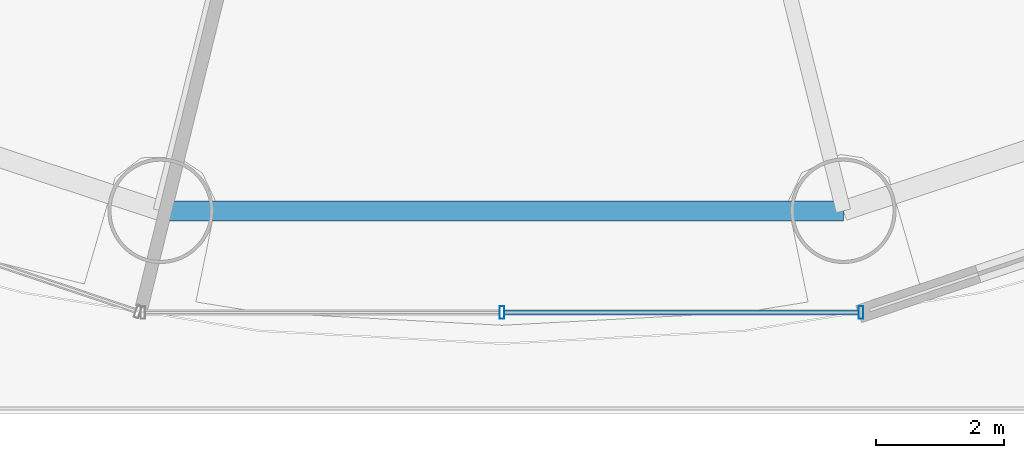
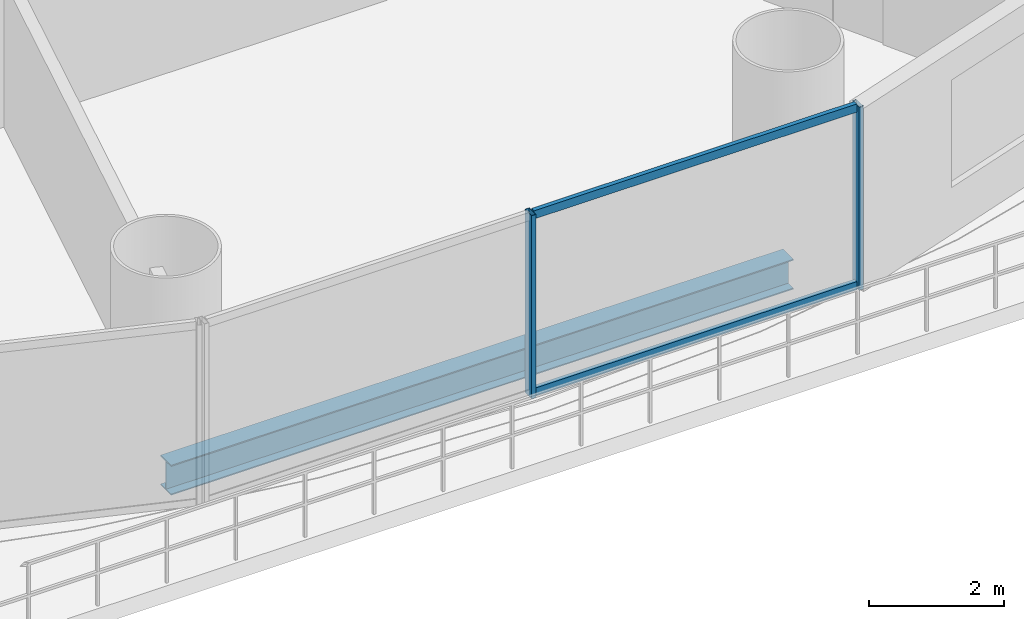
# One storey, part 11 of 37: 4 members, 1 beam, 1 element without a shape of its own.
"""IFC4 building model written with IfcOpenShell, lengths in metres."""

from ifc_helpers import new_model, si_unit, direction, frame, origin, origin_2d, place, context, subcontext, project, spatial, hollow_rectangle, i_section, extrude, source, transform, mapped, material, material_profile, profile_set, type_object, element, aggregate, save


model = new_model("IFC4")

# Units and contexts
model_context = context("Model", 3, precision=1e-05, world=origin(), true_north=direction((-0.2419218956, 0.970295726276)))
body_context = subcontext(model_context, "Body", "Model", "MODEL_VIEW")
ifc_project = project(units=[si_unit("LENGTHUNIT", "METRE"), si_unit("AREAUNIT", "SQUARE_METRE"), si_unit("VOLUMEUNIT", "CUBIC_METRE"), si_unit("PLANEANGLEUNIT", "RADIAN"), si_unit("MASSUNIT", "GRAM", prefix="KILO")], contexts=[model_context])

# Site, building, storey
site_placement = place(None, origin())
site = spatial("IfcSite", under=ifc_project, at=site_placement, CompositionType="ELEMENT")
building_placement = place(site_placement, origin())
building = spatial("IfcBuilding", under=site, at=building_placement, Name="Cobrevalo Terracotta Tower", CompositionType="ELEMENT")
storey_placement = place(building_placement, frame((0.0, 0.0, 24.0)))
storey = spatial("IfcBuildingStorey", under=building, at=storey_placement, Name="L05", CompositionType="ELEMENT", Elevation=24.0)

# Beam
ifc_material_1 = material(Name="Steel S355", Category="steel")
ifc_material_profile_1 = material_profile(ifc_material_1, i_section(OverallWidth=0.31201171875, OverallDepth=0.54296875, WebThickness=0.0126953125, FlangeThickness=0.020263671875, at=origin_2d()), Name="W 530x150")
ifc_profile_set_1 = profile_set([ifc_material_profile_1], Name="Steel S355")
beam_type = type_object("IfcBeamType", Name="Structural Spandrel W 530x150 (Steel S355)", PredefinedType="SPANDREL", material=ifc_profile_set_1)
beam_placement = place(storey_placement, frame((32.664306640625, 5.369873046875, -0.551513671875), z_axis=(1.0, 0.0, 0.0), x_axis=(0.0, 1.0, 0.0)))
element("IfcBeam", 1, at=beam_placement, inside=storey, type_object=beam_type, Name="L05 perimeter ring spandrel 12", PredefinedType="SPANDREL", context=body_context, shape_type="SweptSolid", body=[
    extrude(i_section(OverallWidth=0.31201171875, OverallDepth=0.54296875, WebThickness=0.0126953125, FlangeThickness=0.020263671875, at=origin_2d()), origin(), (0.0, 0.0, 1.0), 10.67138671875),
])

# Curtain wall, members
ifc_material_2 = material(Name="Anodized aluminium", Category="aluminium")
curtain_wall_type = type_object("IfcCurtainWallType", Name="Lower-tower unitised acoustic low-E curtain wall CW-U1", PredefinedType="NOTDEFINED", material=ifc_material_2)
curtain_wall_placement = place(storey_placement, origin())
curtain_wall = element("IfcCurtainWall", 2, at=curtain_wall_placement, inside=storey, type_object=curtain_wall_type, Name="L05 curtain wall CW-L05-S12", PredefinedType="NOTDEFINED")
ifc_material_profile_2 = material_profile(ifc_material_2, hollow_rectangle(XDim=0.074951171875, YDim=0.199951171875, WallThickness=0.0048828125, at=origin_2d()), Name="CWM 75x200")
ifc_profile_set_2 = profile_set([ifc_material_profile_2], Name="Anodized aluminium")
member_type_1 = type_object("IfcMemberType", Name="Lower/mid tower unitised mullion 75x200", PredefinedType="MULLION", material=ifc_profile_set_2)
shared_shape_1 = source(origin(), body_context, "Body", "SweptSolid", [
    extrude(hollow_rectangle(XDim=0.074951171875, YDim=0.199951171875, WallThickness=0.0048828125, at=origin_2d()), origin(), (0.0, 0.0, 1.0), 3.320068359375),
])
member_1_placement = place(storey_placement, frame((38.0, 3.781005859375, 0.0), z_axis=(0.0, 0.0, 1.0), x_axis=(1.0, 0.0, 0.0)))
member_1 = element("IfcMember", 3, at=member_1_placement, type_object=member_type_1, Name="CW-L05-S12 vertical mullion 02", PredefinedType="MULLION", context=body_context, shape_type="MappedRepresentation", body=[
    mapped(shared_shape_1, transform((0.0, 0.0, 0.0), scale=1.0)),
])
member_2_placement = place(storey_placement, frame((43.61181640625, 3.781005859375, 0.0), z_axis=(0.0, 0.0, 1.0), x_axis=(1.0, 0.0, 0.0)))
member_2 = element("IfcMember", 4, at=member_2_placement, type_object=member_type_1, Name="CW-L05-S12 vertical mullion 03", PredefinedType="MULLION", context=body_context, shape_type="MappedRepresentation", body=[
    mapped(shared_shape_1, transform((0.0, 0.0, 0.0), scale=1.0)),
])
ifc_material_profile_3 = material_profile(ifc_material_2, hollow_rectangle(XDim=0.074951171875, YDim=0.14990234375, WallThickness=0.00439453125, at=origin_2d()), Name="CWT 75x150")
ifc_profile_set_3 = profile_set([ifc_material_profile_3], Name="Anodized aluminium")
member_type_2 = type_object("IfcMemberType", Name="Tower unitised aluminium transom 75x150", PredefinedType="USERDEFINED", material=ifc_profile_set_3)
shared_shape_2 = source(origin(), body_context, "Body", "SweptSolid", [
    extrude(hollow_rectangle(XDim=0.074951171875, YDim=0.14990234375, WallThickness=0.00439453125, at=origin_2d()), origin(), (0.0, 0.0, 1.0), 5.53173828125),
])
member_3_placement = place(storey_placement, frame((38.0400390625, 3.781005859375, 0.050048828125), z_axis=(1.0, 0.0, 0.0), x_axis=(0.0, 1.0, 0.0)))
member_3 = element("IfcMember", 5, at=member_3_placement, type_object=member_type_2, Name="CW-L05-S12 transom B02-T1", ObjectType="TRANSOM", PredefinedType="USERDEFINED", context=body_context, shape_type="MappedRepresentation", body=[
    mapped(shared_shape_2, transform((0.0, 0.0, 0.0), scale=1.0)),
])
member_4_placement = place(storey_placement, frame((38.0400390625, 3.781005859375, 3.27001953125), z_axis=(1.0, 0.0, 0.0), x_axis=(0.0, 1.0, 0.0)))
member_4 = element("IfcMember", 6, at=member_4_placement, type_object=member_type_2, Name="CW-L05-S12 transom B02-T2", ObjectType="TRANSOM", PredefinedType="USERDEFINED", context=body_context, shape_type="MappedRepresentation", body=[
    mapped(shared_shape_2, transform((0.0, 0.0, 0.0), scale=1.0)),
])
aggregate(curtain_wall, [member_1, member_2, member_3, member_4])

save(model, "model.ifc")
